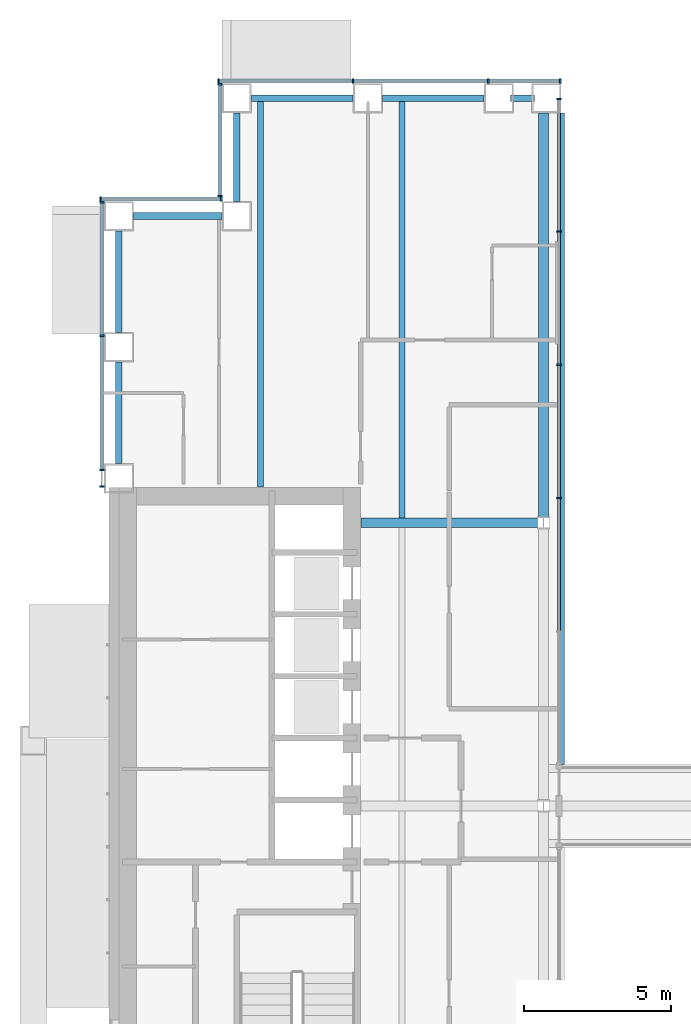
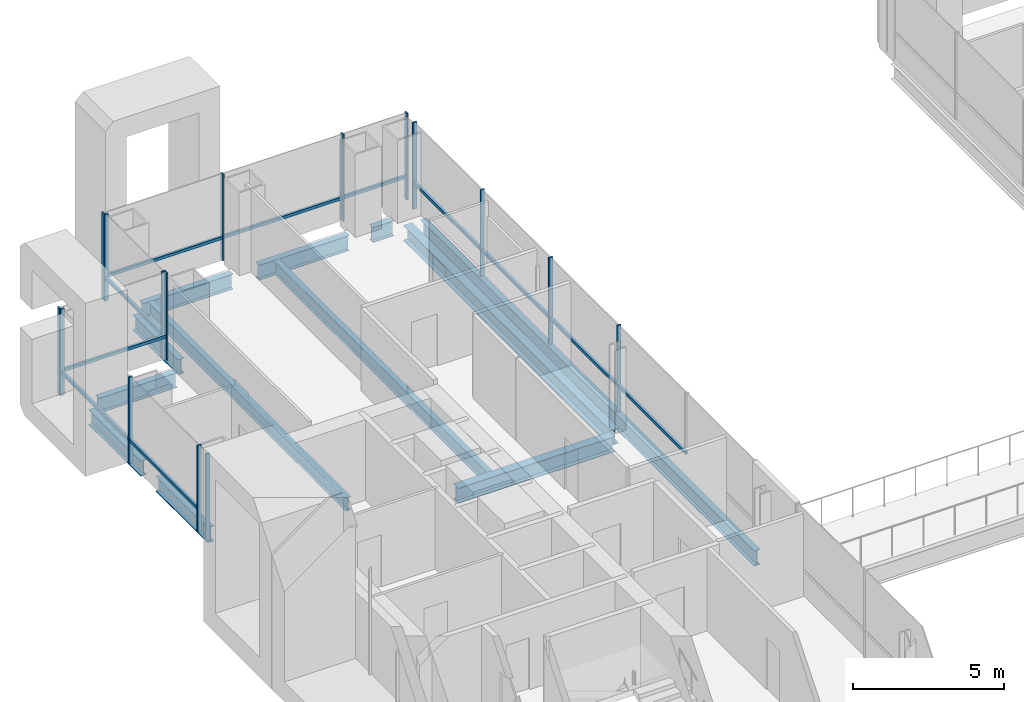
# One storey, part 7 of 26: 27 members, 12 beams, 5 elements without a shape of their own.
"""IFC4 building model written with IfcOpenShell, lengths in metres."""

from ifc_helpers import new_model, si_unit, direction, frame, origin, origin_2d, place, context, subcontext, project, spatial, rectangle, i_section, extrude, material, material_profile, profile_set, type_object, element, aggregate, save


model = new_model("IFC4")

# Units and contexts
model_context = context("Model", 3, precision=1e-05, world=origin(), true_north=direction((0.0, 1.0)))
body_context = subcontext(model_context, "Body", "Model", "MODEL_VIEW")
ifc_project = project(units=[si_unit("LENGTHUNIT", "METRE"), si_unit("AREAUNIT", "SQUARE_METRE"), si_unit("VOLUMEUNIT", "CUBIC_METRE"), si_unit("PLANEANGLEUNIT", "RADIAN"), si_unit("MASSUNIT", "GRAM", prefix="KILO")], contexts=[model_context])

# Site, building, storey
site_placement = place(None, origin())
site = spatial("IfcSite", under=ifc_project, at=site_placement, CompositionType="ELEMENT")
building_placement = place(site_placement, origin())
building = spatial("IfcBuilding", under=site, at=building_placement, Name="Cobrizo Arcos Hotel Tower", CompositionType="ELEMENT")
storey_placement = place(building_placement, frame((0.0, 0.0, 67.0)))
storey = spatial("IfcBuildingStorey", under=building, at=storey_placement, Name="L15", CompositionType="ELEMENT", Elevation=67.0)

# Curtain wall, members
ifc_material_1 = material(Name="Aluminium 6063-T6 anodised bronze", Category="aluminium")
curtain_wall_type_1 = type_object("IfcCurtainWallType", Name="CW-A guest facade", PredefinedType="NOTDEFINED", material=ifc_material_1)
curtain_wall_1_placement = place(storey_placement, origin())
curtain_wall_1 = element("IfcCurtainWall", 1, at=curtain_wall_1_placement, inside=storey, type_object=curtain_wall_type_1, Name="CW-A L15 N face", PredefinedType="NOTDEFINED")
ifc_material_profile_1 = material_profile(ifc_material_1, rectangle(XDim=0.14990234375, YDim=0.06005859375, at=origin_2d()), Name="CW-A mullion 150x60")
ifc_profile_set_1 = profile_set([ifc_material_profile_1], Name="Aluminium 6063-T6 anodised bronze")
member_type_1 = type_object("IfcMemberType", Name="CW-A mullion 150x60", PredefinedType="MULLION", material=ifc_profile_set_1)
member_1_placement = place(storey_placement, frame((-9.030029296875, 24.574951171875, 0.0), z_axis=(0.0, 0.0, 1.0), x_axis=(0.0, 1.0, 0.0)))
member_1 = element("IfcMember", 2, at=member_1_placement, type_object=member_type_1, Name="CW-A mullion 1", PredefinedType="MULLION", context=body_context, shape_type="SweptSolid", body=[
    extrude(rectangle(XDim=0.14990234375, YDim=0.06005859375, at=origin_2d()), origin(), (0.0, 0.0, 1.0), 3.5),
])
member_2_placement = place(storey_placement, frame((-11.47216796875, 24.574951171875, 0.0), z_axis=(0.0, 0.0, 1.0), x_axis=(0.0, 1.0, 0.0)))
member_2 = element("IfcMember", 3, at=member_2_placement, type_object=member_type_1, Name="CW-A mullion 2", PredefinedType="MULLION", context=body_context, shape_type="SweptSolid", body=[
    extrude(rectangle(XDim=0.14990234375, YDim=0.06005859375, at=origin_2d()), origin(), (0.0, 0.0, 1.0), 3.5),
])
member_3_placement = place(storey_placement, frame((-16.06103515625, 24.574951171875, 0.0), z_axis=(0.0, 0.0, 1.0), x_axis=(0.0, 1.0, 0.0)))
member_3 = element("IfcMember", 4, at=member_3_placement, type_object=member_type_1, Name="CW-A mullion 3", PredefinedType="MULLION", context=body_context, shape_type="SweptSolid", body=[
    extrude(rectangle(XDim=0.14990234375, YDim=0.06005859375, at=origin_2d()), origin(), (0.0, 0.0, 1.0), 3.5),
])
member_4_placement = place(storey_placement, frame((-20.6201171875, 24.574951171875, 0.0), z_axis=(0.0, 0.0, 1.0), x_axis=(0.0, 1.0, 0.0)))
member_4 = element("IfcMember", 5, at=member_4_placement, type_object=member_type_1, Name="CW-A mullion 4", PredefinedType="MULLION", context=body_context, shape_type="SweptSolid", body=[
    extrude(rectangle(XDim=0.14990234375, YDim=0.06005859375, at=origin_2d()), origin(), (0.0, 0.0, 1.0), 3.5),
])

curtain_wall_2_placement = place(storey_placement, origin())
curtain_wall_2 = element("IfcCurtainWall", 6, at=curtain_wall_2_placement, inside=storey, type_object=curtain_wall_type_1, Name="CW-A L15 W face", PredefinedType="NOTDEFINED")
member_5_placement = place(storey_placement, frame((-20.574951171875, 24.469970703125, 0.0), z_axis=(0.0, 0.0, 1.0), x_axis=(-1.0, 0.0, 0.0)))
member_5 = element("IfcMember", 7, at=member_5_placement, type_object=member_type_1, Name="CW-A mullion 1", PredefinedType="MULLION", context=body_context, shape_type="SweptSolid", body=[
    extrude(rectangle(XDim=0.14990234375, YDim=0.06005859375, at=origin_2d()), origin(), (0.0, 0.0, 1.0), 3.5),
])
member_6_placement = place(storey_placement, frame((-20.574951171875, 20.679931640625, 0.0), z_axis=(0.0, 0.0, 1.0), x_axis=(-1.0, 0.0, 0.0)))
member_6 = element("IfcMember", 8, at=member_6_placement, type_object=member_type_1, Name="CW-A mullion 2", PredefinedType="MULLION", context=body_context, shape_type="SweptSolid", body=[
    extrude(rectangle(XDim=0.14990234375, YDim=0.06005859375, at=origin_2d()), origin(), (0.0, 0.0, 1.0), 3.5),
])

curtain_wall_3_placement = place(storey_placement, origin())
curtain_wall_3 = element("IfcCurtainWall", 9, at=curtain_wall_3_placement, inside=storey, type_object=curtain_wall_type_1, Name="CW-A L15 N face", PredefinedType="NOTDEFINED")
member_7_placement = place(storey_placement, frame((-20.530029296875, 20.574951171875, 0.0), z_axis=(0.0, 0.0, 1.0), x_axis=(0.0, 1.0, 0.0)))
member_7 = element("IfcMember", 10, at=member_7_placement, type_object=member_type_1, Name="CW-A mullion 1", PredefinedType="MULLION", context=body_context, shape_type="SweptSolid", body=[
    extrude(rectangle(XDim=0.14990234375, YDim=0.06005859375, at=origin_2d()), origin(), (0.0, 0.0, 1.0), 3.5),
])
member_8_placement = place(storey_placement, frame((-24.6201171875, 20.574951171875, 0.0), z_axis=(0.0, 0.0, 1.0), x_axis=(0.0, 1.0, 0.0)))
member_8 = element("IfcMember", 11, at=member_8_placement, type_object=member_type_1, Name="CW-A mullion 2", PredefinedType="MULLION", context=body_context, shape_type="SweptSolid", body=[
    extrude(rectangle(XDim=0.14990234375, YDim=0.06005859375, at=origin_2d()), origin(), (0.0, 0.0, 1.0), 3.5),
])

curtain_wall_4_placement = place(storey_placement, origin())
curtain_wall_4 = element("IfcCurtainWall", 12, at=curtain_wall_4_placement, inside=storey, type_object=curtain_wall_type_1, Name="CW-A L15 W face", PredefinedType="NOTDEFINED")
member_9_placement = place(storey_placement, frame((-24.574951171875, 20.469970703125, 0.0), z_axis=(0.0, 0.0, 1.0), x_axis=(-1.0, 0.0, 0.0)))
member_9 = element("IfcMember", 13, at=member_9_placement, type_object=member_type_1, Name="CW-A mullion 1", PredefinedType="MULLION", context=body_context, shape_type="SweptSolid", body=[
    extrude(rectangle(XDim=0.14990234375, YDim=0.06005859375, at=origin_2d()), origin(), (0.0, 0.0, 1.0), 3.5),
])
member_10_placement = place(storey_placement, frame((-24.574951171875, 15.9443359375, 0.0), z_axis=(0.0, 0.0, 1.0), x_axis=(-1.0, 0.0, 0.0)))
member_10 = element("IfcMember", 14, at=member_10_placement, type_object=member_type_1, Name="CW-A mullion 2", PredefinedType="MULLION", context=body_context, shape_type="SweptSolid", body=[
    extrude(rectangle(XDim=0.14990234375, YDim=0.06005859375, at=origin_2d()), origin(), (0.0, 0.0, 1.0), 3.5),
])
member_11_placement = place(storey_placement, frame((-24.574951171875, 11.388916015625, 0.0), z_axis=(0.0, 0.0, 1.0), x_axis=(-1.0, 0.0, 0.0)))
member_11 = element("IfcMember", 15, at=member_11_placement, type_object=member_type_1, Name="CW-A mullion 3", PredefinedType="MULLION", context=body_context, shape_type="SweptSolid", body=[
    extrude(rectangle(XDim=0.14990234375, YDim=0.06005859375, at=origin_2d()), origin(), (0.0, 0.0, 1.0), 3.5),
])
member_12_placement = place(storey_placement, frame((-24.574951171875, 10.830078125, 0.0), z_axis=(0.0, 0.0, 1.0), x_axis=(-1.0, 0.0, 0.0)))
member_12 = element("IfcMember", 16, at=member_12_placement, type_object=member_type_1, Name="CW-A mullion 4", PredefinedType="MULLION", context=body_context, shape_type="SweptSolid", body=[
    extrude(rectangle(XDim=0.14990234375, YDim=0.06005859375, at=origin_2d()), origin(), (0.0, 0.0, 1.0), 3.5),
])

# Member
ifc_material_profile_2 = material_profile(ifc_material_1, rectangle(XDim=0.10009765625, YDim=0.1201171875, at=origin_2d()), Name="CW-A transom 120x100")
ifc_profile_set_2 = profile_set([ifc_material_profile_2], Name="Aluminium 6063-T6 anodised bronze")
member_type_2 = type_object("IfcMemberType", Name="CW-A transom 120x100", PredefinedType="USERDEFINED", material=ifc_profile_set_2)
member_13_placement = place(storey_placement, frame((-9.06005859375, 24.574951171875, 0.929931640625), z_axis=(-1.0, 0.0, 0.0), x_axis=(0.0, -1.0, 0.0)))
member_13 = element("IfcMember", 17, at=member_13_placement, type_object=member_type_2, Name="CW-A transom 672", ObjectType="TRANSOM", PredefinedType="USERDEFINED", context=body_context, shape_type="SweptSolid", body=[
    extrude(rectangle(XDim=0.10009765625, YDim=0.1201171875, at=origin_2d()), origin(), (0.0, 0.0, 1.0), 2.382080078125),
])

member_14_placement = place(storey_placement, frame((-11.502197265625, 24.574951171875, 0.929931640625), z_axis=(-1.0, 0.0, 0.0), x_axis=(0.0, -1.0, 0.0)))
member_14 = element("IfcMember", 18, at=member_14_placement, type_object=member_type_2, Name="CW-A transom 673", ObjectType="TRANSOM", PredefinedType="USERDEFINED", context=body_context, shape_type="SweptSolid", body=[
    extrude(rectangle(XDim=0.10009765625, YDim=0.1201171875, at=origin_2d()), origin(), (0.0, 0.0, 1.0), 4.52880859375),
])

member_15_placement = place(storey_placement, frame((-16.091064453125, 24.574951171875, 0.929931640625), z_axis=(-1.0, 0.0, 0.0), x_axis=(0.0, -1.0, 0.0)))
member_15 = element("IfcMember", 19, at=member_15_placement, type_object=member_type_2, Name="CW-A transom 674", ObjectType="TRANSOM", PredefinedType="USERDEFINED", context=body_context, shape_type="SweptSolid", body=[
    extrude(rectangle(XDim=0.10009765625, YDim=0.1201171875, at=origin_2d()), origin(), (0.0, 0.0, 1.0), 4.4990234375),
])

aggregate(curtain_wall_1, [member_1, member_2, member_3, member_4, member_13, member_14, member_15])

member_16_placement = place(storey_placement, frame((-20.574951171875, 24.43994140625, 0.929931640625), z_axis=(0.0, -1.0, 0.0), x_axis=(1.0, 0.0, 0.0)))
member_16 = element("IfcMember", 20, at=member_16_placement, type_object=member_type_2, Name="CW-A transom 675", ObjectType="TRANSOM", PredefinedType="USERDEFINED", context=body_context, shape_type="SweptSolid", body=[
    extrude(rectangle(XDim=0.10009765625, YDim=0.1201171875, at=origin_2d()), origin(), (0.0, 0.0, 1.0), 3.72998046875),
])

aggregate(curtain_wall_2, [member_5, member_6, member_16])

member_17_placement = place(storey_placement, frame((-20.56005859375, 20.574951171875, 0.929931640625), z_axis=(-1.0, 0.0, 0.0), x_axis=(0.0, -1.0, 0.0)))
member_17 = element("IfcMember", 21, at=member_17_placement, type_object=member_type_2, Name="CW-A transom 676", ObjectType="TRANSOM", PredefinedType="USERDEFINED", context=body_context, shape_type="SweptSolid", body=[
    extrude(rectangle(XDim=0.10009765625, YDim=0.1201171875, at=origin_2d()), origin(), (0.0, 0.0, 1.0), 4.030029296875),
])

aggregate(curtain_wall_3, [member_7, member_8, member_17])

member_18_placement = place(storey_placement, frame((-24.574951171875, 20.43994140625, 0.929931640625), z_axis=(0.0, -1.0, 0.0), x_axis=(1.0, 0.0, 0.0)))
member_18 = element("IfcMember", 22, at=member_18_placement, type_object=member_type_2, Name="CW-A transom 677", ObjectType="TRANSOM", PredefinedType="USERDEFINED", context=body_context, shape_type="SweptSolid", body=[
    extrude(rectangle(XDim=0.10009765625, YDim=0.1201171875, at=origin_2d()), origin(), (0.0, 0.0, 1.0), 4.465576171875),
])

member_19_placement = place(storey_placement, frame((-24.574951171875, 15.91455078125, 0.929931640625), z_axis=(0.0, -1.0, 0.0), x_axis=(1.0, 0.0, 0.0)))
member_19 = element("IfcMember", 23, at=member_19_placement, type_object=member_type_2, Name="CW-A transom 678", ObjectType="TRANSOM", PredefinedType="USERDEFINED", context=body_context, shape_type="SweptSolid", body=[
    extrude(rectangle(XDim=0.10009765625, YDim=0.1201171875, at=origin_2d()), origin(), (0.0, 0.0, 1.0), 4.49560546875),
])

aggregate(curtain_wall_4, [member_9, member_10, member_11, member_12, member_18, member_19])

# Curtain wall, members
curtain_wall_type_2 = type_object("IfcCurtainWallType", Name="CW-F void screen", PredefinedType="NOTDEFINED", material=ifc_material_1)
curtain_wall_5_placement = place(storey_placement, origin())
curtain_wall_5 = element("IfcCurtainWall", 24, at=curtain_wall_5_placement, inside=storey, type_object=curtain_wall_type_2, Name="CW-F L15 void screen A", PredefinedType="NOTDEFINED")
ifc_material_profile_3 = material_profile(ifc_material_1, rectangle(XDim=0.14990234375, YDim=0.06005859375, at=origin_2d()), Name="CW-F mullion 150x60")
ifc_profile_set_3 = profile_set([ifc_material_profile_3], Name="Aluminium 6063-T6 anodised bronze")
member_type_3 = type_object("IfcMemberType", Name="CW-F mullion 150x60", PredefinedType="MULLION", material=ifc_profile_set_3)
member_20_placement = place(storey_placement, frame((-9.074951171875, 23.969970703125, 0.0), z_axis=(0.0, 0.0, 1.0), x_axis=(-1.0, 0.0, 0.0)))
member_20 = element("IfcMember", 25, at=member_20_placement, type_object=member_type_3, Name="CW-F mullion 1", PredefinedType="MULLION", context=body_context, shape_type="SweptSolid", body=[
    extrude(rectangle(XDim=0.14990234375, YDim=0.06005859375, at=origin_2d()), origin(), (0.0, 0.0, 1.0), 3.5),
])
member_21_placement = place(storey_placement, frame((-9.074951171875, 19.47998046875, 0.0), z_axis=(0.0, 0.0, 1.0), x_axis=(-1.0, 0.0, 0.0)))
member_21 = element("IfcMember", 26, at=member_21_placement, type_object=member_type_3, Name="CW-F mullion 2", PredefinedType="MULLION", context=body_context, shape_type="SweptSolid", body=[
    extrude(rectangle(XDim=0.14990234375, YDim=0.06005859375, at=origin_2d()), origin(), (0.0, 0.0, 1.0), 3.5),
])
member_22_placement = place(storey_placement, frame((-9.074951171875, 14.9599609375, 0.0), z_axis=(0.0, 0.0, 1.0), x_axis=(-1.0, 0.0, 0.0)))
member_22 = element("IfcMember", 27, at=member_22_placement, type_object=member_type_3, Name="CW-F mullion 3", PredefinedType="MULLION", context=body_context, shape_type="SweptSolid", body=[
    extrude(rectangle(XDim=0.14990234375, YDim=0.06005859375, at=origin_2d()), origin(), (0.0, 0.0, 1.0), 3.5),
])
member_23_placement = place(storey_placement, frame((-9.074951171875, 10.43994140625, 0.0), z_axis=(0.0, 0.0, 1.0), x_axis=(-1.0, 0.0, 0.0)))
member_23 = element("IfcMember", 28, at=member_23_placement, type_object=member_type_3, Name="CW-F mullion 4", PredefinedType="MULLION", context=body_context, shape_type="SweptSolid", body=[
    extrude(rectangle(XDim=0.14990234375, YDim=0.06005859375, at=origin_2d()), origin(), (0.0, 0.0, 1.0), 3.5),
])
ifc_material_profile_4 = material_profile(ifc_material_1, rectangle(XDim=0.10009765625, YDim=0.1201171875, at=origin_2d()), Name="CW-F transom 120x100")
ifc_profile_set_4 = profile_set([ifc_material_profile_4], Name="Aluminium 6063-T6 anodised bronze")
member_type_4 = type_object("IfcMemberType", Name="CW-F transom 120x100", PredefinedType="USERDEFINED", material=ifc_profile_set_4)
member_24_placement = place(storey_placement, frame((-9.074951171875, 23.93994140625, 1.050048828125), z_axis=(0.0, -1.0, 0.0), x_axis=(1.0, 0.0, 0.0)))
member_24 = element("IfcMember", 29, at=member_24_placement, type_object=member_type_4, Name="CW-F transom 2478", ObjectType="TRANSOM", PredefinedType="USERDEFINED", context=body_context, shape_type="SweptSolid", body=[
    extrude(rectangle(XDim=0.10009765625, YDim=0.1201171875, at=origin_2d()), origin(), (0.0, 0.0, 1.0), 4.429931640625),
])
member_25_placement = place(storey_placement, frame((-9.074951171875, 19.449951171875, 1.050048828125), z_axis=(0.0, -1.0, 0.0), x_axis=(1.0, 0.0, 0.0)))
member_25 = element("IfcMember", 30, at=member_25_placement, type_object=member_type_4, Name="CW-F transom 2479", ObjectType="TRANSOM", PredefinedType="USERDEFINED", context=body_context, shape_type="SweptSolid", body=[
    extrude(rectangle(XDim=0.10009765625, YDim=0.1201171875, at=origin_2d()), origin(), (0.0, 0.0, 1.0), 4.4599609375),
])
member_26_placement = place(storey_placement, frame((-9.074951171875, 14.929931640625, 1.050048828125), z_axis=(0.0, -1.0, 0.0), x_axis=(1.0, 0.0, 0.0)))
member_26 = element("IfcMember", 31, at=member_26_placement, type_object=member_type_4, Name="CW-F transom 2480", ObjectType="TRANSOM", PredefinedType="USERDEFINED", context=body_context, shape_type="SweptSolid", body=[
    extrude(rectangle(XDim=0.10009765625, YDim=0.1201171875, at=origin_2d()), origin(), (0.0, 0.0, 1.0), 4.4599609375),
])
member_27_placement = place(storey_placement, frame((-9.074951171875, 10.409912109375, 1.050048828125), z_axis=(0.0, -1.0, 0.0), x_axis=(1.0, 0.0, 0.0)))
member_27 = element("IfcMember", 32, at=member_27_placement, type_object=member_type_4, Name="CW-F transom 2481", ObjectType="TRANSOM", PredefinedType="USERDEFINED", context=body_context, shape_type="SweptSolid", body=[
    extrude(rectangle(XDim=0.10009765625, YDim=0.1201171875, at=origin_2d()), origin(), (0.0, 0.0, 1.0), 4.4599609375),
])
aggregate(curtain_wall_5, [member_20, member_21, member_22, member_23, member_24, member_25, member_26, member_27])

# Beams
ifc_material_2 = material(Name="Steel ASTM A992 Grade 50", Category="steel")
ifc_material_profile_5 = material_profile(ifc_material_2, i_section(OverallWidth=0.209228515625, OverallDepth=0.533447265625, WebThickness=0.01025390625, FlangeThickness=0.015625, at=origin_2d()), Name="W21X62")
ifc_profile_set_5 = profile_set([ifc_material_profile_5], Name="Steel ASTM A992 Grade 50")
beam_type_1 = type_object("IfcBeamType", Name="W21X62 joist", PredefinedType="JOIST", material=ifc_profile_set_5)
beam_1_placement = place(storey_placement, frame((-19.199951171875, 10.81005859375, -0.416748046875), z_axis=(0.0, 1.0, 0.0), x_axis=(-1.0, 0.0, 0.0)))
element("IfcBeam", 33, at=beam_1_placement, inside=storey, type_object=beam_type_1, Name="Floor joist J1, L15, no. 002", PredefinedType="JOIST", context=body_context, shape_type="SweptSolid", body=[
    extrude(i_section(OverallWidth=0.209228515625, OverallDepth=0.533447265625, WebThickness=0.01025390625, FlangeThickness=0.015625, at=origin_2d()), origin(), (0.0, 0.0, 1.0), 13.099853515625),
])
beam_2_placement = place(storey_placement, frame((-14.39990234375, 9.763916015625, -0.416748046875), z_axis=(0.0, 1.0, 0.0), x_axis=(-1.0, 0.0, 0.0)))
element("IfcBeam", 34, at=beam_2_placement, inside=storey, type_object=beam_type_1, Name="Floor joist J1, L15, no. 006", PredefinedType="JOIST", context=body_context, shape_type="SweptSolid", body=[
    extrude(i_section(OverallWidth=0.209228515625, OverallDepth=0.533447265625, WebThickness=0.01025390625, FlangeThickness=0.015625, at=origin_2d()), origin(), (0.0, 0.0, 1.0), 14.14599609375),
])
ifc_material_profile_6 = material_profile(ifc_material_2, i_section(OverallWidth=0.32763671875, OverallDepth=0.622314453125, WebThickness=0.015380859375, FlangeThickness=0.0244140625, at=origin_2d()), Name="W24X131")
ifc_profile_set_6 = profile_set([ifc_material_profile_6], Name="Steel ASTM A992 Grade 50")
beam_type_2 = type_object("IfcBeamType", Name="W24X131 girder", PredefinedType="BEAM", material=ifc_profile_set_6)
beam_3_placement = place(storey_placement, frame((-15.7900390625, 9.60009765625, -0.461181640625), z_axis=(1.0, 0.0, 0.0), x_axis=(0.0, 1.0, 0.0)))
element("IfcBeam", 35, at=beam_3_placement, inside=storey, type_object=beam_type_2, Name="Floor girder G1, L15, no. 006", PredefinedType="BEAM", context=body_context, shape_type="SweptSolid", body=[
    extrude(i_section(OverallWidth=0.32763671875, OverallDepth=0.622314453125, WebThickness=0.015380859375, FlangeThickness=0.0244140625, at=origin_2d()), origin(), (0.0, 0.0, 1.0), 5.985595703125),
])
beam_4_placement = place(storey_placement, frame((-9.60009765625, 9.804443359375, -0.461181640625), z_axis=(0.0, 1.0, 0.0), x_axis=(-1.0, 0.0, 0.0)))
element("IfcBeam", 36, at=beam_4_placement, inside=storey, type_object=beam_type_2, Name="Floor girder G1, L15, no. 011", PredefinedType="BEAM", context=body_context, shape_type="SweptSolid", body=[
    extrude(i_section(OverallWidth=0.32763671875, OverallDepth=0.622314453125, WebThickness=0.015380859375, FlangeThickness=0.0244140625, at=origin_2d()), origin(), (0.0, 0.0, 1.0), 13.695556640625),
])
ifc_material_profile_7 = material_profile(ifc_material_2, i_section(OverallWidth=0.23046875, OverallDepth=0.6171875, WebThickness=0.01318359375, FlangeThickness=0.022216796875, at=origin_2d()), Name="W24X94")
ifc_profile_set_7 = profile_set([ifc_material_profile_7], Name="Steel ASTM A992 Grade 50")
beam_type_3 = type_object("IfcBeamType", Name="W24X94 spandrel", PredefinedType="SPANDREL", material=ifc_profile_set_7)
beam_5_placement = place(storey_placement, frame((-24.0, 11.611083984375, -0.45849609375), z_axis=(0.0, 1.0, 0.0), x_axis=(-1.0, 0.0, 0.0)))
element("IfcBeam", 37, at=beam_5_placement, inside=storey, type_object=beam_type_3, Name="Spandrel beam W24X94, L15, no. 020", PredefinedType="SPANDREL", context=body_context, shape_type="SweptSolid", body=[
    extrude(i_section(OverallWidth=0.23046875, OverallDepth=0.6171875, WebThickness=0.01318359375, FlangeThickness=0.022216796875, at=origin_2d()), origin(), (0.0, 0.0, 1.0), 3.44482421875),
])
beam_6_placement = place(storey_placement, frame((-24.0, 16.055908203125, -0.45849609375), z_axis=(0.0, 1.0, 0.0), x_axis=(-1.0, 0.0, 0.0)))
element("IfcBeam", 38, at=beam_6_placement, inside=storey, type_object=beam_type_3, Name="Spandrel beam W24X94, L15, no. 021", PredefinedType="SPANDREL", context=body_context, shape_type="SweptSolid", body=[
    extrude(i_section(OverallWidth=0.23046875, OverallDepth=0.6171875, WebThickness=0.01318359375, FlangeThickness=0.022216796875, at=origin_2d()), origin(), (0.0, 0.0, 1.0), 3.444091796875),
])
for number, where, z_axis, x_axis, name in (
    (39, (-23.5, 20.0, -0.45849609375), (1.0, 0.0, 0.0), (0.0, 1.0, 0.0), "Spandrel beam W24X94, L15, no. 022"),
    (40, (-20.0, 20.5, -0.45849609375), (0.0, 1.0, 0.0), (-1.0, 0.0, 0.0), "Spandrel beam W24X94, L15, no. 023"),
):
    element("IfcBeam", number, at=place(storey_placement, frame(where, z_axis=z_axis, x_axis=x_axis)), inside=storey, type_object=beam_type_3, Name=name, PredefinedType="SPANDREL", context=body_context, shape_type="SweptSolid", body=[
        extrude(i_section(OverallWidth=0.23046875, OverallDepth=0.6171875, WebThickness=0.01318359375, FlangeThickness=0.022216796875, at=origin_2d()), origin(), (0.0, 0.0, 1.0), 3.0),
    ])
beam_7_placement = place(storey_placement, frame((-19.5, 24.0, -0.45849609375), z_axis=(1.0, 0.0, 0.0), x_axis=(0.0, 1.0, 0.0)))
element("IfcBeam", 41, at=beam_7_placement, inside=storey, type_object=beam_type_3, Name="Spandrel beam W24X94, L15, no. 024", PredefinedType="SPANDREL", context=body_context, shape_type="SweptSolid", body=[
    extrude(i_section(OverallWidth=0.23046875, OverallDepth=0.6171875, WebThickness=0.01318359375, FlangeThickness=0.022216796875, at=origin_2d()), origin(), (0.0, 0.0, 1.0), 3.444091796875),
])
beam_8_placement = place(storey_placement, frame((-15.055908203125, 24.0, -0.45849609375), z_axis=(1.0, 0.0, 0.0), x_axis=(0.0, 1.0, 0.0)))
element("IfcBeam", 42, at=beam_8_placement, inside=storey, type_object=beam_type_3, Name="Spandrel beam W24X94, L15, no. 025", PredefinedType="SPANDREL", context=body_context, shape_type="SweptSolid", body=[
    extrude(i_section(OverallWidth=0.23046875, OverallDepth=0.6171875, WebThickness=0.01318359375, FlangeThickness=0.022216796875, at=origin_2d()), origin(), (0.0, 0.0, 1.0), 3.44482421875),
])
beam_9_placement = place(storey_placement, frame((-10.7109375, 24.0, -0.45849609375), z_axis=(1.0, 0.0, 0.0), x_axis=(0.0, 1.0, 0.0)))
element("IfcBeam", 43, at=beam_9_placement, inside=storey, type_object=beam_type_3, Name="Spandrel beam W24X94, L15, no. 026", PredefinedType="SPANDREL", context=body_context, shape_type="SweptSolid", body=[
    extrude(i_section(OverallWidth=0.23046875, OverallDepth=0.6171875, WebThickness=0.01318359375, FlangeThickness=0.022216796875, at=origin_2d()), origin(), (0.0, 0.0, 1.0), 0.81103515625),
])
beam_10_placement = place(storey_placement, frame((-9.0, 23.5, -0.45849609375), z_axis=(0.0, -1.0, 0.0), x_axis=(1.0, 0.0, 0.0)))
element("IfcBeam", 44, at=beam_10_placement, inside=storey, type_object=beam_type_3, Name="Spandrel beam W24X94, L15, no. 027", PredefinedType="SPANDREL", context=body_context, shape_type="SweptSolid", body=[
    extrude(i_section(OverallWidth=0.23046875, OverallDepth=0.6171875, WebThickness=0.01318359375, FlangeThickness=0.022216796875, at=origin_2d()), origin(), (0.0, 0.0, 1.0), 22.10009765625),
])

save(model, "model.ifc")
